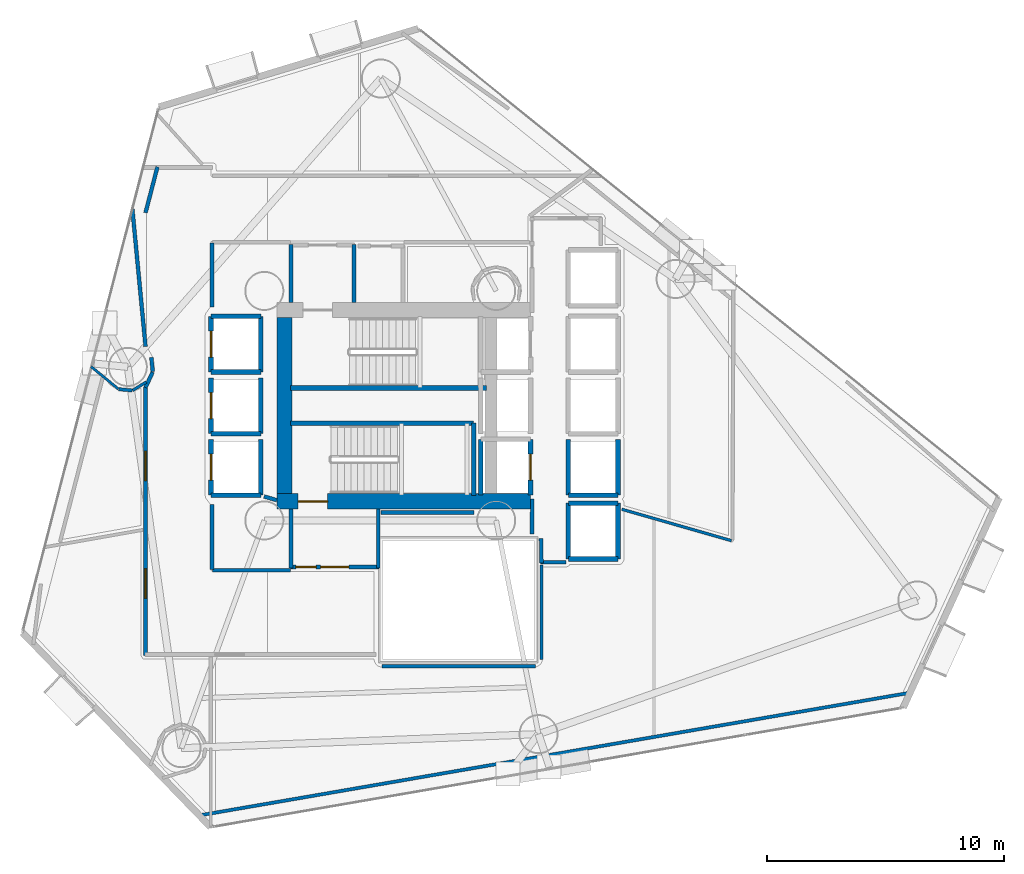
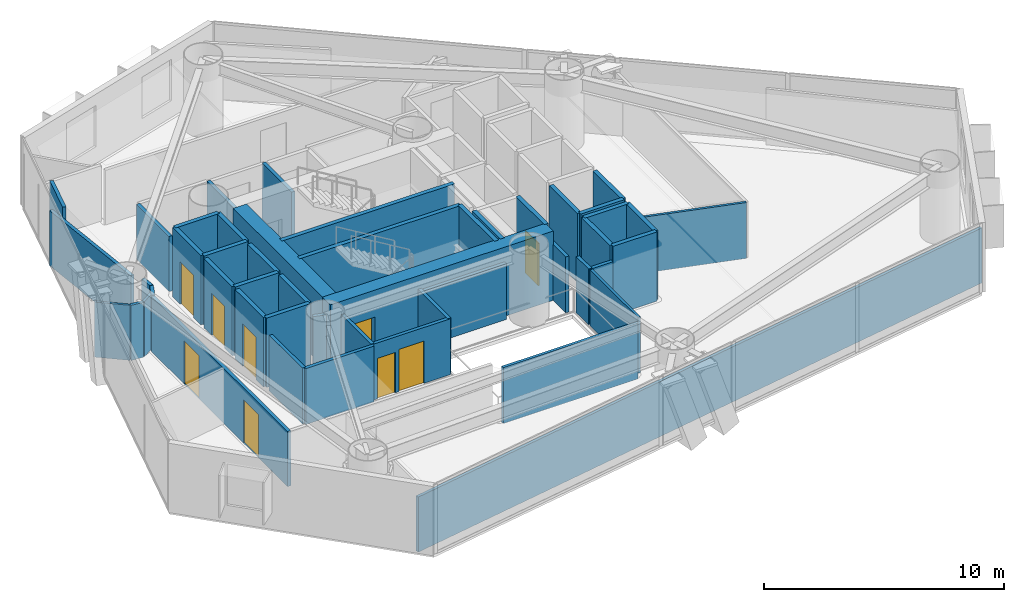
# One storey, part 17 of 23: 49 walls, 9 doors, 9 openings.
"""IFC4 building model written with IfcOpenShell, lengths in metres."""

from ifc_helpers import new_model, si_unit, direction, frame, frame_2d, origin, place, context, subcontext, project, spatial, rectangle, extrude, material, layer, layer_set, type_object, element, fill, save


model = new_model("IFC4")

# Units and contexts
model_context = context("Model", 3, precision=1e-05, world=origin(), true_north=direction((0.0, 1.0)))
body_context = subcontext(model_context, "Body", "Model", "MODEL_VIEW")
ifc_project = project(units=[si_unit("LENGTHUNIT", "METRE"), si_unit("AREAUNIT", "SQUARE_METRE"), si_unit("VOLUMEUNIT", "CUBIC_METRE"), si_unit("PLANEANGLEUNIT", "RADIAN"), si_unit("MASSUNIT", "GRAM", prefix="KILO")], contexts=[model_context])

# Site, building, storey
site_placement = place(None, origin())
site = spatial("IfcSite", under=ifc_project, at=site_placement, CompositionType="ELEMENT")
building_placement = place(site_placement, origin())
building = spatial("IfcBuilding", under=site, at=building_placement, Name="Qianvela Tower", CompositionType="ELEMENT")
storey_placement = place(building_placement, frame((0.0, 0.0, 82.10009765625)))
storey = spatial("IfcBuildingStorey", under=building, at=storey_placement, Name="L20", CompositionType="ELEMENT", Elevation=82.10009765625)

# Wall, opening, door
ifc_material_1 = material(Name="Concrete C60", Category="concrete")
ifc_layer_1 = layer(ifc_material_1, 0.64990234375)
ifc_layer_set_1 = layer_set([ifc_layer_1], Name="Concrete C60")
wall_type_1 = type_object("IfcWallType", Name="WT-CORE-650", PredefinedType="SHEAR", material=ifc_layer_set_1)
wall_1_placement = place(storey_placement, frame((29.1298828125, 24.655029296875, 0.0), z_axis=(0.0, 0.0, 1.0), x_axis=(1.0, 0.0, 0.0)))
wall_1 = element("IfcWall", 1, at=wall_1_placement, inside=storey, type_object=wall_type_1, Name="L20 South Core Shear Wall", PredefinedType="SHEAR", context=body_context, shape_type="SweptSolid", body=[
    extrude(rectangle(XDim=10.72021484375, YDim=0.64990234375, at=frame_2d((5.360107421875, 0.0))), origin(), (0.0, 0.0, 1.0), 3.52001953125),
])
opening_1_placement = place(wall_1_placement, frame((0.89501953125, 0.0, 0.0)))
opening_1 = element("IfcOpeningElement", 2, at=opening_1_placement, cuts=wall_1, Name="Opening D-ST1", PredefinedType="OPENING", context=body_context, shape_type="SweptSolid", body=[
    extrude(rectangle(XDim=1.25, YDim=2.14990234375, at=frame_2d((0.625, 1.074951171875))), frame((0.0, 0.3349609375, 0.0), z_axis=(0.0, -1.0, 0.0), x_axis=(1.0, 0.0, 0.0)), (0.0, 0.0, 1.0), 0.669921875),
])
ifc_material_2 = material(Name="Galvanised Fire Steel Q355B", Category="steel")
door_type_1 = type_object("IfcDoorType", Name="DT-STAIR-FD90", OperationType="NOTDEFINED", PredefinedType="DOOR", material=ifc_material_2)
door_1_placement = place(opening_1_placement, origin())
door_1 = element("IfcDoor", 3, at=door_1_placement, inside=storey, type_object=door_type_1, Name="L20 Stair ST-2 Exit Door", OperationType="SINGLE_SWING_RIGHT", OverallHeight=2.14990234375, OverallWidth=1.25, PredefinedType="DOOR", context=body_context, shape_type="SweptSolid", body=[
    extrude(rectangle(XDim=1.25, YDim=2.14990234375, at=frame_2d((0.625, 1.074951171875))), frame((0.0, 0.02490234375, 0.0), z_axis=(0.0, -1.0, 0.0), x_axis=(1.0, 0.0, 0.0)), (0.0, 0.0, 1.0), 0.050048828125),
])
fill(opening_1, door_1)

# Walls
wall_2_placement = place(storey_placement, frame((29.455078125, 24.97998046875, 0.0), z_axis=(0.0, 0.0, 1.0), x_axis=(0.0, 1.0, 0.0)))
element("IfcWall", 4, at=wall_2_placement, inside=storey, type_object=wall_type_1, Name="L20 West Core Shear Wall", PredefinedType="SHEAR", context=body_context, shape_type="SweptSolid", body=[
    extrude(rectangle(XDim=7.43994140625, YDim=0.64990234375, at=frame_2d((3.719970703125, 0.0))), origin(), (0.0, 0.0, 1.0), 3.52001953125),
])
ifc_material_3 = material(Name="Fire-Rated Gypsum and Concrete Block", Category="concrete")
ifc_layer_2 = layer(ifc_material_3, 0.159912109375)
ifc_layer_set_2 = layer_set([ifc_layer_2], Name="Fire-Rated Gypsum and Concrete Block")
wall_type_2 = type_object("IfcWallType", Name="WT-CORR-160", PredefinedType="PARTITIONING", material=ifc_layer_set_2)
for number, where, z_axis, x_axis, name in (
    (5, (29.73095703125, 33.05810546875, 0.0), (0.0, 0.0, 1.0), (0.0, 1.0, 0.0), "L20 Partition 2"),
    (6, (32.388916015625, 35.52001953125, 0.0), (0.0, 0.0, 1.0), (0.0, -1.0, 0.0), "L20 Partition 4"),
):
    element("IfcWall", number, at=place(storey_placement, frame(where, z_axis=z_axis, x_axis=x_axis)), inside=storey, type_object=wall_type_2, Name=name, PredefinedType="PARTITIONING", context=body_context, shape_type="SweptSolid", body=[
        extrude(rectangle(XDim=2.4619140625, YDim=0.159912109375, at=frame_2d((1.23095703125, 0.0))), origin(), (0.0, 0.0, 1.0), 2.83984375),
    ])

# Wall, openings, doors
wall_3_placement = place(storey_placement, frame((33.449951171875, 21.881103515625, 0.0), z_axis=(0.0, 0.0, 1.0), x_axis=(-1.0, 0.0, 0.0)))
wall_3 = element("IfcWall", 7, at=wall_3_placement, inside=storey, type_object=wall_type_2, Name="L20 Partition 5", PredefinedType="PARTITIONING", context=body_context, shape_type="SweptSolid", body=[
    extrude(rectangle(XDim=3.75, YDim=0.159912109375, at=frame_2d((1.875, 0.0))), origin(), (0.0, 0.0, 1.0), 2.83984375),
])
opening_2_placement = place(wall_3_placement, frame((1.27490234375, 0.0, 0.0)))
opening_2 = element("IfcOpeningElement", 8, at=opening_2_placement, cuts=wall_3, Name="Opening D-LB1", PredefinedType="OPENING", context=body_context, shape_type="SweptSolid", body=[
    extrude(rectangle(XDim=1.199951171875, YDim=2.14990234375, at=frame_2d((0.60009765625, 1.074951171875))), frame((0.0, 0.08984375, 0.0), z_axis=(0.0, -1.0, 0.0), x_axis=(1.0, 0.0, 0.0)), (0.0, 0.0, 1.0), 0.179931640625),
])
opening_3_placement = place(wall_3_placement, frame((2.659912109375, 0.0, 0.0)))
opening_3 = element("IfcOpeningElement", 9, at=opening_3_placement, cuts=wall_3, Name="Opening D-LB2", PredefinedType="OPENING", context=body_context, shape_type="SweptSolid", body=[
    extrude(rectangle(XDim=0.860107421875, YDim=2.050048828125, at=frame_2d((0.43017578125, 1.02490234375))), frame((0.0, 0.08984375, 0.0), z_axis=(0.0, -1.0, 0.0), x_axis=(1.0, 0.0, 0.0)), (0.0, 0.0, 1.0), 0.179931640625),
])
ifc_material_4 = material(Name="Glazed Fire-Rated Steel Frame", Category="steel")
door_type_2 = type_object("IfcDoorType", Name="DT-LOBBY-FD90", OperationType="NOTDEFINED", PredefinedType="DOOR", material=ifc_material_4)
door_2_placement = place(opening_2_placement, origin())
door_2 = element("IfcDoor", 10, at=door_2_placement, inside=storey, type_object=door_type_2, Name="L20 Door L20 Firefighting Lobby South to L20 Floor Corridor", OperationType="SINGLE_SWING_LEFT", OverallHeight=2.14990234375, OverallWidth=1.199951171875, PredefinedType="DOOR", context=body_context, shape_type="SweptSolid", body=[
    extrude(rectangle(XDim=1.199951171875, YDim=2.14990234375, at=frame_2d((0.60009765625, 1.074951171875))), frame((0.0, 0.02490234375, 0.0), z_axis=(0.0, -1.0, 0.0), x_axis=(1.0, 0.0, 0.0)), (0.0, 0.0, 1.0), 0.050048828125),
])
fill(opening_2, door_2)
ifc_material_5 = material(Name="Insulated Steel Fire Door Q355B", Category="steel")
door_type_3 = type_object("IfcDoorType", Name="DT-LOBBY-FD90-860", OperationType="NOTDEFINED", PredefinedType="DOOR", material=ifc_material_5)
door_3_placement = place(opening_3_placement, origin())
door_3 = element("IfcDoor", 11, at=door_3_placement, inside=storey, type_object=door_type_3, Name="L20 Door L20 Firefighting Lobby South to L20 Floor Corridor", OperationType="SINGLE_SWING_RIGHT", OverallHeight=2.050048828125, OverallWidth=0.860107421875, PredefinedType="DOOR", context=body_context, shape_type="SweptSolid", body=[
    extrude(rectangle(XDim=0.860107421875, YDim=2.050048828125, at=frame_2d((0.43017578125, 1.02490234375))), frame((0.0, 0.02490234375, 0.0), z_axis=(0.0, -1.0, 0.0), x_axis=(1.0, 0.0, 0.0)), (0.0, 0.0, 1.0), 0.050048828125),
])
fill(opening_3, door_3)

# Walls
for number, where, z_axis, x_axis, name in (
    (12, (29.73095703125, 21.85009765625, 0.0), (0.0, 0.0, 1.0), (0.0, 1.0, 0.0), "L20 Partition 6"),
    (13, (33.4189453125, 24.342041015625, 0.0), (0.0, 0.0, 1.0), (0.0, -1.0, 0.0), "L20 Partition 8"),
):
    element("IfcWall", number, at=place(storey_placement, frame(where, z_axis=z_axis, x_axis=x_axis)), inside=storey, type_object=wall_type_2, Name=name, PredefinedType="PARTITIONING", context=body_context, shape_type="SweptSolid", body=[
        extrude(rectangle(XDim=2.491943359375, YDim=0.159912109375, at=frame_2d((1.24609375, 0.0))), origin(), (0.0, 0.0, 1.0), 2.83984375),
    ])
wall_4_placement = place(storey_placement, frame((41.360107421875, 22.0810546875, 0.0), z_axis=(0.0, 0.0, 1.0), x_axis=(-1.0, 0.0, 0.0)))
element("IfcWall", 14, at=wall_4_placement, inside=storey, type_object=wall_type_2, Name="L20 Partition 15", PredefinedType="PARTITIONING", context=body_context, shape_type="SweptSolid", body=[
    extrude(rectangle(XDim=1.080078125, YDim=0.159912109375, at=frame_2d((0.5400390625, 0.0))), origin(), (0.0, 0.0, 1.0), 2.83984375),
])
wall_5_placement = place(storey_placement, frame((40.31103515625, 22.05029296875, 0.0), z_axis=(0.0, 0.0, 1.0), x_axis=(-0.011836292006, 0.999929948642, 0.0)))
element("IfcWall", 15, at=wall_5_placement, inside=storey, type_object=wall_type_2, Name="L20 Partition 16", PredefinedType="PARTITIONING", context=body_context, shape_type="SweptSolid", body=[
    extrude(rectangle(XDim=1.03125, YDim=0.159912109375, at=frame_2d((0.515625, 0.0))), origin(), (0.0, 0.0, 1.0), 2.83984375),
])
wall_6_placement = place(storey_placement, frame((39.910888671875, 23.27978515625, 0.0), z_axis=(0.0, 0.0, 1.0), x_axis=(0.009397771291, 0.999955839972, 0.0)))
element("IfcWall", 16, at=wall_6_placement, inside=storey, type_object=wall_type_2, Name="L20 Partition 17", PredefinedType="PARTITIONING", context=body_context, shape_type="SweptSolid", body=[
    extrude(rectangle(XDim=1.480712890625, YDim=0.159912109375, at=frame_2d((0.740234375, 0.0))), origin(), (0.0, 0.0, 1.0), 2.83984375),
])
wall_7_placement = place(storey_placement, frame((29.1298828125, 24.706298828125, 0.0), z_axis=(0.0, 0.0, 1.0), x_axis=(-0.960451214223, 0.278448316742, 0.0)))
element("IfcWall", 17, at=wall_7_placement, inside=storey, type_object=wall_type_2, Name="L20 Partition 27", PredefinedType="PARTITIONING", context=body_context, shape_type="SweptSolid", body=[
    extrude(rectangle(XDim=0.56201171875, YDim=0.159912109375, at=frame_2d((0.281005859375, 0.0))), origin(), (0.0, 0.0, 1.0), 2.83984375),
])
wall_8_placement = place(storey_placement, frame((37.466552734375, 24.180908203125, 0.0), z_axis=(0.0, 0.0, 1.0), x_axis=(-1.0, 0.0, 0.0)))
element("IfcWall", 18, at=wall_8_placement, inside=storey, type_object=wall_type_2, Name="L20 Partition 34", PredefinedType="PARTITIONING", context=body_context, shape_type="SweptSolid", body=[
    extrude(rectangle(XDim=3.9365234375, YDim=0.159912109375, at=frame_2d((1.96826171875, 0.0))), origin(), (0.0, 0.0, 1.0), 2.83984375),
])
wall_9_placement = place(storey_placement, frame((23.5810546875, 31.197265625, 0.0), z_axis=(0.0, 0.0, 1.0), x_axis=(-0.095345857416, 0.995444206108, 0.0)))
element("IfcWall", 19, at=wall_9_placement, inside=storey, type_object=wall_type_2, Name="L20 Partition 35", PredefinedType="PARTITIONING", context=body_context, shape_type="SweptSolid", body=[
    extrude(rectangle(XDim=5.838134765625, YDim=0.159912109375, at=frame_2d((2.9189453125, 0.0))), origin(), (0.0, 0.0, 1.0), 2.7978515625),
])
wall_10_placement = place(storey_placement, frame((23.580078125, 36.8564453125, 0.0), z_axis=(0.0, 0.0, 1.0), x_axis=(0.251343413886, 0.967897974115, 0.0)))
element("IfcWall", 20, at=wall_10_placement, inside=storey, type_object=wall_type_2, Name="L20 Partition 36", PredefinedType="PARTITIONING", context=body_context, shape_type="SweptSolid", body=[
    extrude(rectangle(XDim=2.0, YDim=0.159912109375, at=frame_2d((1.0, 0.0))), origin(), (0.0, 0.0, 1.0), 2.83984375),
])
wall_11_placement = place(storey_placement, frame((26.388916015625, 35.580078125, 0.0), z_axis=(0.0, 0.0, 1.0), x_axis=(0.0, -1.0, 0.0)))
element("IfcWall", 21, at=wall_11_placement, inside=storey, type_object=wall_type_2, Name="L20 Partition 42", PredefinedType="PARTITIONING", context=body_context, shape_type="SweptSolid", body=[
    extrude(rectangle(XDim=2.71044921875, YDim=0.159912109375, at=frame_2d((1.355224609375, 0.0))), origin(), (0.0, 0.0, 1.0), 2.7978515625),
])
wall_12_placement = place(storey_placement, frame((26.388916015625, 24.530517578125, 0.0), z_axis=(0.0, 0.0, 1.0), x_axis=(0.0, -1.0, 0.0)))
element("IfcWall", 22, at=wall_12_placement, inside=storey, type_object=wall_type_2, Name="L20 Partition 44", PredefinedType="PARTITIONING", context=body_context, shape_type="SweptSolid", body=[
    extrude(rectangle(XDim=2.75048828125, YDim=0.159912109375, at=frame_2d((1.375244140625, 0.0))), origin(), (0.0, 0.0, 1.0), 2.83984375),
])
wall_13_placement = place(storey_placement, frame((26.419921875, 21.7490234375, 0.0), z_axis=(0.0, 0.0, 1.0), x_axis=(1.0, 0.0, 0.0)))
element("IfcWall", 23, at=wall_13_placement, inside=storey, type_object=wall_type_2, Name="L20 Partition 45 seg 1", PredefinedType="PARTITIONING", context=body_context, shape_type="SweptSolid", body=[
    extrude(rectangle(XDim=3.280029296875, YDim=0.159912109375, at=frame_2d((1.64013671875, 0.0))), origin(), (0.0, 0.0, 1.0), 2.83984375),
])

# Wall, openings, doors
wall_14_placement = place(storey_placement, frame((23.5810546875, 18.14990234375, 0.0), z_axis=(0.0, 0.0, 1.0), x_axis=(0.0, 1.0, 0.0)))
wall_14 = element("IfcWall", 24, at=wall_14_placement, inside=storey, type_object=wall_type_2, Name="L20 Partition 47", PredefinedType="PARTITIONING", context=body_context, shape_type="SweptSolid", body=[
    extrude(rectangle(XDim=11.3330078125, YDim=0.159912109375, at=frame_2d((5.66650390625, 0.0))), origin(), (0.0, 0.0, 1.0), 2.7978515625),
])
opening_4_placement = place(wall_14_placement, frame((2.412109375, 0.0, 0.0)))
opening_4 = element("IfcOpeningElement", 25, at=opening_4_placement, cuts=wall_14, Name="Opening D-LG1", PredefinedType="OPENING", context=body_context, shape_type="SweptSolid", body=[
    extrude(rectangle(XDim=1.25, YDim=2.199951171875, at=frame_2d((0.625, 1.10009765625))), frame((0.0, 0.08984375, 0.0), z_axis=(0.0, -1.0, 0.0), x_axis=(1.0, 0.0, 0.0)), (0.0, 0.0, 1.0), 0.179931640625),
])
opening_5_placement = place(wall_14_placement, frame((7.3798828125, 0.0, 0.0)))
opening_5 = element("IfcOpeningElement", 26, at=opening_5_placement, cuts=wall_14, Name="Opening D-LG1", PredefinedType="OPENING", context=body_context, shape_type="SweptSolid", body=[
    extrude(rectangle(XDim=1.25, YDim=2.199951171875, at=frame_2d((0.625, 1.10009765625))), frame((0.0, 0.08984375, 0.0), z_axis=(0.0, -1.0, 0.0), x_axis=(1.0, 0.0, 0.0)), (0.0, 0.0, 1.0), 0.179931640625),
])
ifc_material_6 = material(Name="Anodised Aluminium Acoustic Glass Door", Category="aluminium")
door_type_4 = type_object("IfcDoorType", Name="DT-LOUNGE-1250", OperationType="NOTDEFINED", PredefinedType="DOOR", material=ifc_material_6)
door_4_placement = place(opening_4_placement, origin())
door_4 = element("IfcDoor", 27, at=door_4_placement, inside=storey, type_object=door_type_4, Name="L20 Door Debate Lecture Classroom L20-01 to L20 Floor Corridor", OperationType="SINGLE_SWING_LEFT", OverallHeight=2.199951171875, OverallWidth=1.25, PredefinedType="DOOR", context=body_context, shape_type="SweptSolid", body=[
    extrude(rectangle(XDim=1.25, YDim=2.199951171875, at=frame_2d((0.625, 1.10009765625))), frame((0.0, 0.02490234375, 0.0), z_axis=(0.0, -1.0, 0.0), x_axis=(1.0, 0.0, 0.0)), (0.0, 0.0, 1.0), 0.050048828125),
])
fill(opening_4, door_4)
door_5_placement = place(opening_5_placement, origin())
door_5 = element("IfcDoor", 28, at=door_5_placement, inside=storey, type_object=door_type_4, Name="L20 Door Graduate Seminar Classroom L20-06 to L20 Floor Corridor", OperationType="SINGLE_SWING_LEFT", OverallHeight=2.199951171875, OverallWidth=1.25, PredefinedType="DOOR", context=body_context, shape_type="SweptSolid", body=[
    extrude(rectangle(XDim=1.25, YDim=2.199951171875, at=frame_2d((0.625, 1.10009765625))), frame((0.0, 0.02490234375, 0.0), z_axis=(0.0, -1.0, 0.0), x_axis=(1.0, 0.0, 0.0)), (0.0, 0.0, 1.0), 0.050048828125),
])
fill(opening_5, door_5)

# Walls
wall_15_placement = place(storey_placement, frame((23.578125, 29.4697265625, 0.0), z_axis=(0.0, 0.0, 1.0), x_axis=(0.421827918194, 0.906675910914, 0.0)))
element("IfcWall", 29, at=wall_15_placement, inside=storey, type_object=wall_type_2, Name="L20 Partition 48", PredefinedType="PARTITIONING", context=body_context, shape_type="SweptSolid", body=[
    extrude(rectangle(XDim=0.720458984375, YDim=0.159912109375, at=frame_2d((0.3603515625, 0.0))), origin(), (0.0, 0.0, 1.0), 2.83984375),
])
wall_16_placement = place(storey_placement, frame((23.884765625, 30.13916015625, 0.0), z_axis=(0.0, 0.0, 1.0), x_axis=(-0.0981888168, 0.995167803064, 0.0)))
element("IfcWall", 30, at=wall_16_placement, inside=storey, type_object=wall_type_2, Name="L20 Partition 49", PredefinedType="PARTITIONING", context=body_context, shape_type="SweptSolid", body=[
    extrude(rectangle(XDim=0.606689453125, YDim=0.159912109375, at=frame_2d((0.30322265625, 0.0))), origin(), (0.0, 0.0, 1.0), 2.83984375),
])
ifc_material_7 = material(Name="Lightweight Gypsum Room Partition")
ifc_layer_3 = layer(ifc_material_7, 0.10498046875)
ifc_layer_set_3 = layer_set([ifc_layer_3], Name="Lightweight Gypsum Room Partition")
wall_type_3 = type_object("IfcWallType", Name="WT-PART-105", PredefinedType="PARTITIONING", material=ifc_layer_set_3)
wall_17_placement = place(storey_placement, frame((21.277099609375, 30.35400390625, 0.0), z_axis=(0.0, 0.0, 1.0), x_axis=(0.7730466664, -0.634349155882, 0.0)))
element("IfcWall", 31, at=wall_17_placement, inside=storey, type_object=wall_type_3, Name="L20 Partition 110", PredefinedType="PARTITIONING", context=body_context, shape_type="SweptSolid", body=[
    extrude(rectangle(XDim=1.494384765625, YDim=0.10498046875, at=frame_2d((0.7470703125, 0.0))), origin(), (0.0, 0.0, 1.0), 2.7978515625),
])
ifc_material_8 = material(Name="Insulated Gypsum Stud Partition")
ifc_layer_4 = layer(ifc_material_8, 0.1201171875)
ifc_layer_set_4 = layer_set([ifc_layer_4], Name="Insulated Gypsum Stud Partition")
wall_type_4 = type_object("IfcWallType", Name="WT-PART-120", PredefinedType="PARTITIONING", material=ifc_layer_set_4)
wall_18_placement = place(storey_placement, frame((40.309814453125, 17.972412109375, 0.0), z_axis=(0.0, 0.0, 1.0), x_axis=(0.000305362145, 0.999999953377, 0.0)))
element("IfcWall", 32, at=wall_18_placement, inside=storey, type_object=wall_type_4, Name="L20 Partition 73 seg 1", PredefinedType="PARTITIONING", context=body_context, shape_type="SweptSolid", body=[
    extrude(rectangle(XDim=3.99755859375, YDim=0.1201171875, at=frame_2d((1.998779296875, 0.0))), origin(), (0.0, 0.0, 1.0), 2.83984375),
])
wall_19_placement = place(storey_placement, frame((43.71142578125, 24.322998046875, 0.0), z_axis=(0.0, 0.0, 1.0), x_axis=(0.961349794869, -0.275329932819, 0.0)))
element("IfcWall", 33, at=wall_19_placement, inside=storey, type_object=wall_type_4, Name="L20 Partition 76", PredefinedType="PARTITIONING", context=body_context, shape_type="SweptSolid", body=[
    extrude(rectangle(XDim=4.8193359375, YDim=0.1201171875, at=frame_2d((2.40966796875, 0.0))), origin(), (0.0, 0.0, 1.0), 2.83984375),
])
wall_20_placement = place(storey_placement, frame((23.03759765625, 29.34765625, 0.0), z_axis=(0.0, 0.0, 1.0), x_axis=(0.850157603054, 0.526528299306, 0.0)))
element("IfcWall", 34, at=wall_20_placement, inside=storey, type_object=wall_type_4, Name="L20 Partition 112", PredefinedType="PARTITIONING", context=body_context, shape_type="SweptSolid", body=[
    extrude(rectangle(XDim=0.677490234375, YDim=0.1201171875, at=frame_2d((0.3388671875, 0.0))), origin(), (0.0, 0.0, 1.0), 2.7978515625),
])
ifc_material_9 = material(Name="Acoustic Double Gypsum Stud Partition")
ifc_layer_5 = layer(ifc_material_9, 0.139892578125)
ifc_layer_set_5 = layer_set([ifc_layer_5], Name="Acoustic Double Gypsum Stud Partition")
wall_type_5 = type_object("IfcWallType", Name="WT-ROOM-140", PredefinedType="PARTITIONING", material=ifc_layer_set_5)
wall_21_placement = place(storey_placement, frame((55.913818359375, 16.572021484375, 0.0), z_axis=(0.0, 0.0, 1.0), x_axis=(-0.9854284719, -0.170090348841, 0.0)))
element("IfcWall", 35, at=wall_21_placement, inside=storey, type_object=wall_type_5, Name="L20 Partition 69", PredefinedType="PARTITIONING", context=body_context, shape_type="SweptSolid", body=[
    extrude(rectangle(XDim=30.530029296875, YDim=0.139892578125, at=frame_2d((15.26513671875, 0.0))), origin(), (0.0, 0.0, 1.0), 2.7978515625),
])
wall_22_placement = place(storey_placement, frame((33.572509765625, 17.690185546875, 0.0), z_axis=(0.0, 0.0, 1.0), x_axis=(0.999999795023, 0.000640277071, 0.0)))
element("IfcWall", 36, at=wall_22_placement, inside=storey, type_object=wall_type_5, Name="L20 Partition 72", PredefinedType="PARTITIONING", context=body_context, shape_type="SweptSolid", body=[
    extrude(rectangle(XDim=6.482177734375, YDim=0.139892578125, at=frame_2d((3.2412109375, 0.0))), origin(), (0.0, 0.0, 1.0), 2.83984375),
])
wall_23_placement = place(storey_placement, frame((22.448974609375, 29.399169921875, 0.0), z_axis=(0.0, 0.0, 1.0), x_axis=(0.995167364461, -0.098193262045, 0.0)))
element("IfcWall", 37, at=wall_23_placement, inside=storey, type_object=wall_type_5, Name="L20 Partition 111", PredefinedType="PARTITIONING", context=body_context, shape_type="SweptSolid", body=[
    extrude(rectangle(XDim=0.57177734375, YDim=0.139892578125, at=frame_2d((0.285888671875, 0.0))), origin(), (0.0, 0.0, 1.0), 2.7978515625),
])
ifc_material_10 = material(Name="Concrete C50", Category="concrete")
ifc_layer_6 = layer(ifc_material_10, 0.199951171875)
ifc_layer_set_6 = layer_set([ifc_layer_6], Name="Concrete C50")
wall_type_6 = type_object("IfcWallType", Name="WT-SHAFT-200", PredefinedType="SOLIDWALL", material=ifc_layer_set_6)
wall_24_placement = place(storey_placement, frame((29.699951171875, 29.449951171875, 0.0), z_axis=(0.0, 0.0, 1.0), x_axis=(1.0, 0.0, 0.0)))
element("IfcWall", 38, at=wall_24_placement, inside=storey, type_object=wall_type_6, Name="L20 Stair ST-1 South Wall", PredefinedType="SOLIDWALL", context=body_context, shape_type="SweptSolid", body=[
    extrude(rectangle(XDim=8.300048828125, YDim=0.199951171875, at=frame_2d((4.14990234375, 0.0))), origin(), (0.0, 0.0, 1.0), 3.52001953125),
])
wall_25_placement = place(storey_placement, frame((29.699951171875, 27.9599609375, 0.0), z_axis=(0.0, 0.0, 1.0), x_axis=(1.0, 0.0, 0.0)))
element("IfcWall", 39, at=wall_25_placement, inside=storey, type_object=wall_type_6, Name="L20 Stair ST-2 North Wall", PredefinedType="SOLIDWALL", context=body_context, shape_type="SweptSolid", body=[
    extrude(rectangle(XDim=7.75, YDim=0.199951171875, at=frame_2d((3.875, 0.0))), origin(), (0.0, 0.0, 1.0), 3.52001953125),
])
wall_26_placement = place(storey_placement, frame((37.449951171875, 24.89990234375, 0.0), z_axis=(0.0, 0.0, 1.0), x_axis=(0.0, 1.0, 0.0)))
element("IfcWall", 40, at=wall_26_placement, inside=storey, type_object=wall_type_6, Name="L20 Stair ST-2 East Wall", PredefinedType="SOLIDWALL", context=body_context, shape_type="SweptSolid", body=[
    extrude(rectangle(XDim=3.06005859375, YDim=0.199951171875, at=frame_2d((1.530029296875, 0.0))), origin(), (0.0, 0.0, 1.0), 3.52001953125),
])

# Wall, opening, door
wall_27_placement = place(storey_placement, frame((39.85009765625, 24.919921875, 0.0), z_axis=(0.0, 0.0, 1.0), x_axis=(0.0, 1.0, 0.0)))
wall_27 = element("IfcWall", 41, at=wall_27_placement, inside=storey, type_object=wall_type_6, Name="L20 Lift FL-2 E Shaft Wall", PredefinedType="SOLIDWALL", context=body_context, shape_type="SweptSolid", body=[
    extrude(rectangle(XDim=2.360107421875, YDim=0.199951171875, at=frame_2d((1.18017578125, 0.0))), origin(), (0.0, 0.0, 1.0), 3.52001953125),
])
opening_6_placement = place(wall_27_placement, frame((0.6298828125, 0.0, 0.0)))
opening_6 = element("IfcOpeningElement", 42, at=opening_6_placement, cuts=wall_27, Name="Opening LD-01", PredefinedType="OPENING", context=body_context, shape_type="SweptSolid", body=[
    extrude(rectangle(XDim=1.10009765625, YDim=2.14990234375, at=frame_2d((0.550048828125, 1.074951171875))), frame((0.0, 0.10986328125, 0.0), z_axis=(0.0, -1.0, 0.0), x_axis=(1.0, 0.0, 0.0)), (0.0, 0.0, 1.0), 0.219970703125),
])
ifc_material_11 = material(Name="Brushed Stainless Steel Lift Landing Door", Category="steel")
door_type_5 = type_object("IfcDoorType", Name="DT-LIFT-SLIDE-1100", OperationType="SLIDING_TO_LEFT", PredefinedType="DOOR", material=ifc_material_11)
door_6_placement = place(opening_6_placement, origin())
door_6 = element("IfcDoor", 43, at=door_6_placement, inside=storey, type_object=door_type_5, Name="L20 Lift FL-2 Sliding Landing Door", OperationType="SLIDING_TO_LEFT", OverallHeight=2.14990234375, OverallWidth=1.10009765625, PredefinedType="DOOR", context=body_context, shape_type="SweptSolid", body=[
    extrude(rectangle(XDim=1.10009765625, YDim=2.14990234375, at=frame_2d((0.550048828125, 1.074951171875))), frame((0.0, 0.02490234375, 0.0), z_axis=(0.0, -1.0, 0.0), x_axis=(1.0, 0.0, 0.0)), (0.0, 0.0, 1.0), 0.050048828125),
])
fill(opening_6, door_6)

# Walls
wall_28_placement = place(storey_placement, frame((37.75, 24.919921875, 0.0), z_axis=(0.0, 0.0, 1.0), x_axis=(0.0, 1.0, 0.0)))
element("IfcWall", 44, at=wall_28_placement, inside=storey, type_object=wall_type_6, Name="L20 Lift FL-2 W Shaft Wall", PredefinedType="SOLIDWALL", context=body_context, shape_type="SweptSolid", body=[
    extrude(rectangle(XDim=2.360107421875, YDim=0.199951171875, at=frame_2d((1.18017578125, 0.0))), origin(), (0.0, 0.0, 1.0), 3.52001953125),
])
wall_29_placement = place(storey_placement, frame((28.449951171875, 30.1201171875, 0.0), z_axis=(0.0, 0.0, 1.0), x_axis=(0.0, 1.0, 0.0)))
element("IfcWall", 45, at=wall_29_placement, inside=storey, type_object=wall_type_6, Name="L20 Lift PL-L1 E Shaft Wall", PredefinedType="SOLIDWALL", context=body_context, shape_type="SweptSolid", body=[
    extrude(rectangle(XDim=2.35986328125, YDim=0.199951171875, at=frame_2d((1.179931640625, 0.0))), origin(), (0.0, 0.0, 1.0), 3.52001953125),
])

# Wall, opening, door
wall_30_placement = place(storey_placement, frame((26.35009765625, 30.1201171875, 0.0), z_axis=(0.0, 0.0, 1.0), x_axis=(0.0, 1.0, 0.0)))
wall_30 = element("IfcWall", 46, at=wall_30_placement, inside=storey, type_object=wall_type_6, Name="L20 Lift PL-L1 W Shaft Wall", PredefinedType="SOLIDWALL", context=body_context, shape_type="SweptSolid", body=[
    extrude(rectangle(XDim=2.35986328125, YDim=0.199951171875, at=frame_2d((1.179931640625, 0.0))), origin(), (0.0, 0.0, 1.0), 3.52001953125),
])
opening_7_placement = place(wall_30_placement, frame((0.6298828125, 0.0, 0.0)))
opening_7 = element("IfcOpeningElement", 47, at=opening_7_placement, cuts=wall_30, Name="Opening LD-01", PredefinedType="OPENING", context=body_context, shape_type="SweptSolid", body=[
    extrude(rectangle(XDim=1.10009765625, YDim=2.14990234375, at=frame_2d((0.550048828125, 1.074951171875))), frame((0.0, 0.10986328125, 0.0), z_axis=(0.0, -1.0, 0.0), x_axis=(1.0, 0.0, 0.0)), (0.0, 0.0, 1.0), 0.219970703125),
])
door_7_placement = place(opening_7_placement, origin())
door_7 = element("IfcDoor", 48, at=door_7_placement, inside=storey, type_object=door_type_5, Name="L20 Lift PL-L1 Sliding Landing Door", OperationType="SLIDING_TO_LEFT", OverallHeight=2.14990234375, OverallWidth=1.10009765625, PredefinedType="DOOR", context=body_context, shape_type="SweptSolid", body=[
    extrude(rectangle(XDim=1.10009765625, YDim=2.14990234375, at=frame_2d((0.550048828125, 1.074951171875))), frame((0.0, 0.02490234375, 0.0), z_axis=(0.0, -1.0, 0.0), x_axis=(1.0, 0.0, 0.0)), (0.0, 0.0, 1.0), 0.050048828125),
])
fill(opening_7, door_7)

# Walls
for number, where, z_axis, x_axis, name in (
    (49, (26.35009765625, 32.47998046875, 0.0), (0.0, 0.0, 1.0), (1.0, 0.0, 0.0), "L20 Lift PL-L1 N Shaft Wall"),
    (50, (26.35009765625, 30.1201171875, 0.0), (0.0, 0.0, 1.0), (1.0, 0.0, 0.0), "L20 Lift PL-L1 S Shaft Wall"),
):
    element("IfcWall", number, at=place(storey_placement, frame(where, z_axis=z_axis, x_axis=x_axis)), inside=storey, type_object=wall_type_6, Name=name, PredefinedType="SOLIDWALL", context=body_context, shape_type="SweptSolid", body=[
        extrude(rectangle(XDim=2.099853515625, YDim=0.199951171875, at=frame_2d((1.0498046875, 0.0))), origin(), (0.0, 0.0, 1.0), 3.52001953125),
    ])
wall_31_placement = place(storey_placement, frame((28.449951171875, 27.52001953125, 0.0), z_axis=(0.0, 0.0, 1.0), x_axis=(0.0, 1.0, 0.0)))
element("IfcWall", 51, at=wall_31_placement, inside=storey, type_object=wall_type_6, Name="L20 Lift PL-L2 E Shaft Wall", PredefinedType="SOLIDWALL", context=body_context, shape_type="SweptSolid", body=[
    extrude(rectangle(XDim=2.35986328125, YDim=0.199951171875, at=frame_2d((1.179931640625, 0.0))), origin(), (0.0, 0.0, 1.0), 3.52001953125),
])

# Wall, opening, door
wall_32_placement = place(storey_placement, frame((26.35009765625, 27.52001953125, 0.0), z_axis=(0.0, 0.0, 1.0), x_axis=(0.0, 1.0, 0.0)))
wall_32 = element("IfcWall", 52, at=wall_32_placement, inside=storey, type_object=wall_type_6, Name="L20 Lift PL-L2 W Shaft Wall", PredefinedType="SOLIDWALL", context=body_context, shape_type="SweptSolid", body=[
    extrude(rectangle(XDim=2.35986328125, YDim=0.199951171875, at=frame_2d((1.179931640625, 0.0))), origin(), (0.0, 0.0, 1.0), 3.52001953125),
])
opening_8_placement = place(wall_32_placement, frame((0.6298828125, 0.0, 0.0)))
opening_8 = element("IfcOpeningElement", 53, at=opening_8_placement, cuts=wall_32, Name="Opening LD-01", PredefinedType="OPENING", context=body_context, shape_type="SweptSolid", body=[
    extrude(rectangle(XDim=1.10009765625, YDim=2.14990234375, at=frame_2d((0.550048828125, 1.074951171875))), frame((0.0, 0.10986328125, 0.0), z_axis=(0.0, -1.0, 0.0), x_axis=(1.0, 0.0, 0.0)), (0.0, 0.0, 1.0), 0.219970703125),
])
door_8_placement = place(opening_8_placement, origin())
door_8 = element("IfcDoor", 54, at=door_8_placement, inside=storey, type_object=door_type_5, Name="L20 Lift PL-L2 Sliding Landing Door", OperationType="SLIDING_TO_LEFT", OverallHeight=2.14990234375, OverallWidth=1.10009765625, PredefinedType="DOOR", context=body_context, shape_type="SweptSolid", body=[
    extrude(rectangle(XDim=1.10009765625, YDim=2.14990234375, at=frame_2d((0.550048828125, 1.074951171875))), frame((0.0, 0.02490234375, 0.0), z_axis=(0.0, -1.0, 0.0), x_axis=(1.0, 0.0, 0.0)), (0.0, 0.0, 1.0), 0.050048828125),
])
fill(opening_8, door_8)

# Walls
wall_33_placement = place(storey_placement, frame((26.35009765625, 27.52001953125, 0.0), z_axis=(0.0, 0.0, 1.0), x_axis=(1.0, 0.0, 0.0)))
element("IfcWall", 55, at=wall_33_placement, inside=storey, type_object=wall_type_6, Name="L20 Lift PL-L2 S Shaft Wall", PredefinedType="SOLIDWALL", context=body_context, shape_type="SweptSolid", body=[
    extrude(rectangle(XDim=2.099853515625, YDim=0.199951171875, at=frame_2d((1.0498046875, 0.0))), origin(), (0.0, 0.0, 1.0), 3.52001953125),
])
wall_34_placement = place(storey_placement, frame((28.449951171875, 24.919921875, 0.0), z_axis=(0.0, 0.0, 1.0), x_axis=(0.0, 1.0, 0.0)))
element("IfcWall", 56, at=wall_34_placement, inside=storey, type_object=wall_type_6, Name="L20 Lift PL-L3 E Shaft Wall", PredefinedType="SOLIDWALL", context=body_context, shape_type="SweptSolid", body=[
    extrude(rectangle(XDim=2.360107421875, YDim=0.199951171875, at=frame_2d((1.18017578125, 0.0))), origin(), (0.0, 0.0, 1.0), 3.52001953125),
])

# Wall, opening, door
wall_35_placement = place(storey_placement, frame((26.35009765625, 24.919921875, 0.0), z_axis=(0.0, 0.0, 1.0), x_axis=(0.0, 1.0, 0.0)))
wall_35 = element("IfcWall", 57, at=wall_35_placement, inside=storey, type_object=wall_type_6, Name="L20 Lift PL-L3 W Shaft Wall", PredefinedType="SOLIDWALL", context=body_context, shape_type="SweptSolid", body=[
    extrude(rectangle(XDim=2.360107421875, YDim=0.199951171875, at=frame_2d((1.18017578125, 0.0))), origin(), (0.0, 0.0, 1.0), 3.52001953125),
])
opening_9_placement = place(wall_35_placement, frame((0.6298828125, 0.0, 0.0)))
opening_9 = element("IfcOpeningElement", 58, at=opening_9_placement, cuts=wall_35, Name="Opening LD-01", PredefinedType="OPENING", context=body_context, shape_type="SweptSolid", body=[
    extrude(rectangle(XDim=1.10009765625, YDim=2.14990234375, at=frame_2d((0.550048828125, 1.074951171875))), frame((0.0, 0.10986328125, 0.0), z_axis=(0.0, -1.0, 0.0), x_axis=(1.0, 0.0, 0.0)), (0.0, 0.0, 1.0), 0.219970703125),
])
door_9_placement = place(opening_9_placement, origin())
door_9 = element("IfcDoor", 59, at=door_9_placement, inside=storey, type_object=door_type_5, Name="L20 Lift PL-L3 Sliding Landing Door", OperationType="SLIDING_TO_LEFT", OverallHeight=2.14990234375, OverallWidth=1.10009765625, PredefinedType="DOOR", context=body_context, shape_type="SweptSolid", body=[
    extrude(rectangle(XDim=1.10009765625, YDim=2.14990234375, at=frame_2d((0.550048828125, 1.074951171875))), frame((0.0, 0.02490234375, 0.0), z_axis=(0.0, -1.0, 0.0), x_axis=(1.0, 0.0, 0.0)), (0.0, 0.0, 1.0), 0.050048828125),
])
fill(opening_9, door_9)

# Walls
wall_36_placement = place(storey_placement, frame((26.35009765625, 24.919921875, 0.0), z_axis=(0.0, 0.0, 1.0), x_axis=(1.0, 0.0, 0.0)))
element("IfcWall", 60, at=wall_36_placement, inside=storey, type_object=wall_type_6, Name="L20 Lift PL-L3 S Shaft Wall", PredefinedType="SOLIDWALL", context=body_context, shape_type="SweptSolid", body=[
    extrude(rectangle(XDim=2.099853515625, YDim=0.199951171875, at=frame_2d((1.0498046875, 0.0))), origin(), (0.0, 0.0, 1.0), 3.52001953125),
])
for number, where, z_axis, x_axis, name in (
    (61, (43.550048828125, 24.919921875, 0.0), (0.0, 0.0, 1.0), (0.0, 1.0, 0.0), "L20 Lift PL-M3 E Shaft Wall"),
    (62, (41.449951171875, 24.919921875, 0.0), (0.0, 0.0, 1.0), (0.0, 1.0, 0.0), "L20 Lift PL-M3 W Shaft Wall"),
):
    element("IfcWall", number, at=place(storey_placement, frame(where, z_axis=z_axis, x_axis=x_axis)), inside=storey, type_object=wall_type_6, Name=name, PredefinedType="SOLIDWALL", context=body_context, shape_type="SweptSolid", body=[
        extrude(rectangle(XDim=2.360107421875, YDim=0.199951171875, at=frame_2d((1.18017578125, 0.0))), origin(), (0.0, 0.0, 1.0), 3.52001953125),
    ])
wall_37_placement = place(storey_placement, frame((41.449951171875, 24.919921875, 0.0), z_axis=(0.0, 0.0, 1.0), x_axis=(1.0, 0.0, 0.0)))
element("IfcWall", 63, at=wall_37_placement, inside=storey, type_object=wall_type_6, Name="L20 Lift PL-M3 S Shaft Wall", PredefinedType="SOLIDWALL", context=body_context, shape_type="SweptSolid", body=[
    extrude(rectangle(XDim=2.10009765625, YDim=0.199951171875, at=frame_2d((1.050048828125, 0.0))), origin(), (0.0, 0.0, 1.0), 3.52001953125),
])
for number, where, z_axis, x_axis, name in (
    (64, (43.550048828125, 22.219970703125, 0.0), (0.0, 0.0, 1.0), (0.0, 1.0, 0.0), "L20 Lift PL-H2 E Shaft Wall"),
    (65, (41.449951171875, 22.219970703125, 0.0), (0.0, 0.0, 1.0), (0.0, 1.0, 0.0), "L20 Lift PL-H2 W Shaft Wall"),
):
    element("IfcWall", number, at=place(storey_placement, frame(where, z_axis=z_axis, x_axis=x_axis)), inside=storey, type_object=wall_type_6, Name=name, PredefinedType="SOLIDWALL", context=body_context, shape_type="SweptSolid", body=[
        extrude(rectangle(XDim=2.360107421875, YDim=0.199951171875, at=frame_2d((1.18017578125, 0.0))), origin(), (0.0, 0.0, 1.0), 3.52001953125),
    ])
for number, where, z_axis, x_axis, name in (
    (66, (41.449951171875, 24.580078125, 0.0), (0.0, 0.0, 1.0), (1.0, 0.0, 0.0), "L20 Lift PL-H2 N Shaft Wall"),
    (67, (41.449951171875, 22.219970703125, 0.0), (0.0, 0.0, 1.0), (1.0, 0.0, 0.0), "L20 Lift PL-H2 S Shaft Wall"),
):
    element("IfcWall", number, at=place(storey_placement, frame(where, z_axis=z_axis, x_axis=x_axis)), inside=storey, type_object=wall_type_6, Name=name, PredefinedType="SOLIDWALL", context=body_context, shape_type="SweptSolid", body=[
        extrude(rectangle(XDim=2.10009765625, YDim=0.199951171875, at=frame_2d((1.050048828125, 0.0))), origin(), (0.0, 0.0, 1.0), 3.52001953125),
    ])

save(model, "model.ifc")
